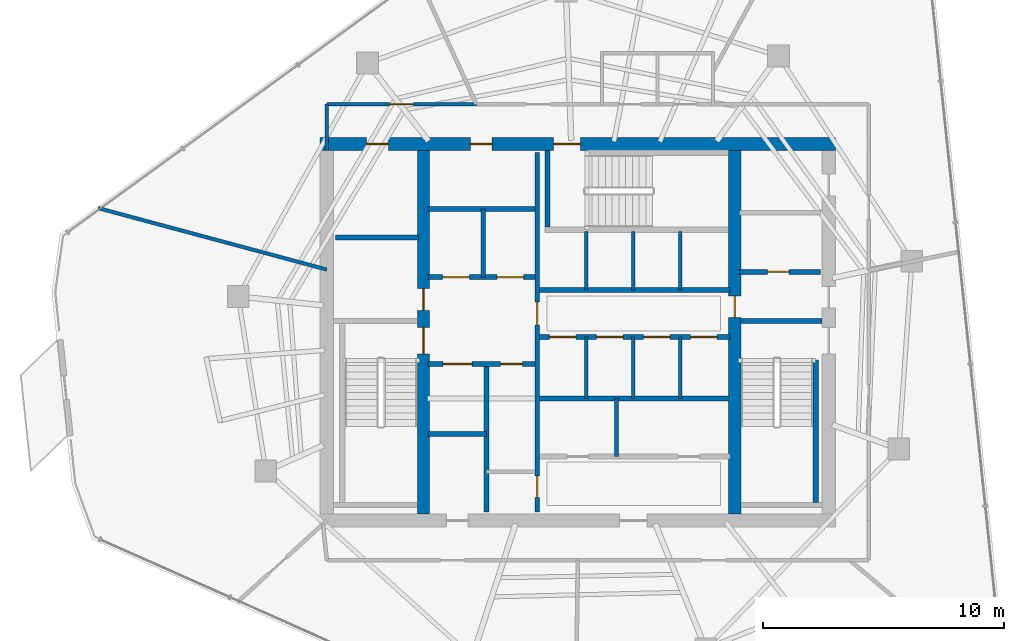
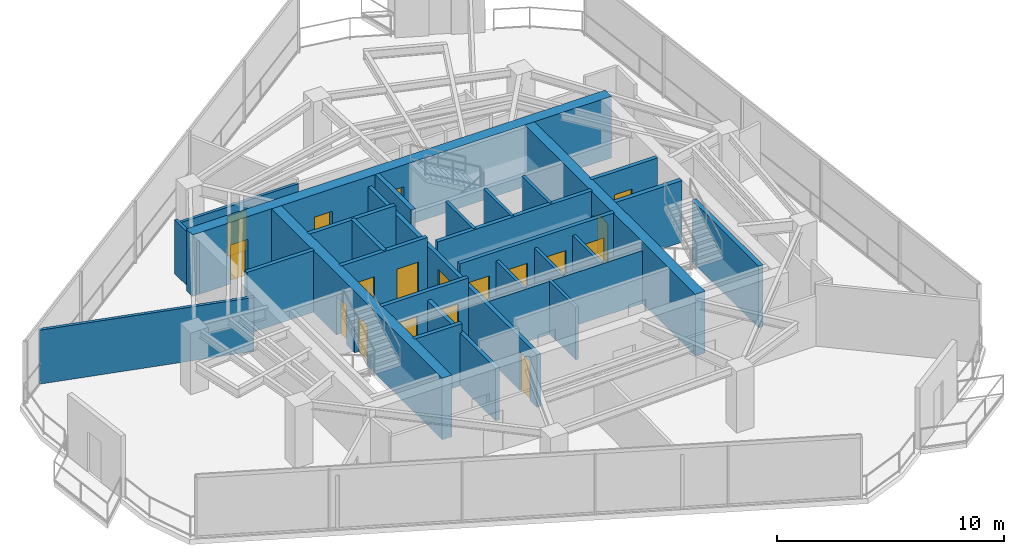
# One storey, part 16 of 20: 28 walls, 18 doors, 18 openings.
"""IFC4 building model written with IfcOpenShell, lengths in metres."""

from ifc_helpers import new_model, si_unit, direction, frame, frame_2d, origin, place, context, subcontext, project, spatial, rectangle, extrude, material, layer, layer_set, type_object, element, fill, save


model = new_model("IFC4")

# Units and contexts
model_context = context("Model", 3, precision=1e-05, world=origin(), true_north=direction((0.0, 1.0)))
body_context = subcontext(model_context, "Body", "Model", "MODEL_VIEW")
ifc_project = project(units=[si_unit("LENGTHUNIT", "METRE"), si_unit("AREAUNIT", "SQUARE_METRE"), si_unit("VOLUMEUNIT", "CUBIC_METRE"), si_unit("PLANEANGLEUNIT", "RADIAN"), si_unit("MASSUNIT", "GRAM", prefix="KILO")], contexts=[model_context])

# Site, building, storey
site_placement = place(None, origin())
site = spatial("IfcSite", under=ifc_project, at=site_placement, CompositionType="ELEMENT")
building_placement = place(site_placement, origin())
building = spatial("IfcBuilding", under=site, at=building_placement, Name="Qarnah Convention Tower", CompositionType="ELEMENT")
storey_placement = place(building_placement, frame((0.0, 0.0, 202.199951171875)))
storey = spatial("IfcBuildingStorey", under=building, at=storey_placement, Name="L54", CompositionType="ELEMENT", Elevation=202.199951171875)

# Wall, openings, doors
ifc_material_1 = material(Name="Concrete C60/75", Category="concrete")
ifc_layer_1 = layer(ifc_material_1, 0.550048828125)
ifc_layer_set_1 = layer_set([ifc_layer_1], Name="Concrete C60/75")
wall_type_1 = type_object("IfcWallType", Name="WL-CORE-550", PredefinedType="SHEAR", material=ifc_layer_set_1)
wall_1_placement = place(storey_placement, frame((26.52490234375, 34.199951171875, 0.0), z_axis=(0.0, 0.0, 1.0), x_axis=(1.0, 0.0, 0.0)))
wall_1 = element("IfcWall", 1, at=wall_1_placement, inside=storey, type_object=wall_type_1, Name="L54 core north shear wall", PredefinedType="SHEAR", context=body_context, shape_type="SweptSolid", body=[
    extrude(rectangle(XDim=21.35009765625, YDim=0.550048828125, at=frame_2d((10.675048828125, 0.0))), origin(), (0.0, 0.0, 1.0), 3.320068359375),
])
opening_1_placement = place(wall_1_placement, frame((9.675048828125, 0.0, 0.0)))
opening_1 = element("IfcOpeningElement", 2, at=opening_1_placement, cuts=wall_1, Name="Opening D-5403", PredefinedType="OPENING", context=body_context, shape_type="SweptSolid", body=[
    extrude(rectangle(XDim=1.10009765625, YDim=2.14990234375, at=frame_2d((0.550048828125, 1.074951171875))), frame((0.0, 0.284912109375, 0.0), z_axis=(0.0, -1.0, 0.0), x_axis=(1.0, 0.0, 0.0)), (0.0, 0.0, 1.0), 0.570068359375),
])
opening_2_placement = place(wall_1_placement, frame((1.925048828125, 0.0, 0.0)))
opening_2 = element("IfcOpeningElement", 3, at=opening_2_placement, cuts=wall_1, Name="Opening D-5409", PredefinedType="OPENING", context=body_context, shape_type="SweptSolid", body=[
    extrude(rectangle(XDim=0.89990234375, YDim=2.10009765625, at=frame_2d((0.449951171875, 1.050048828125))), frame((0.0, 0.284912109375, 0.0), z_axis=(0.0, -1.0, 0.0), x_axis=(1.0, 0.0, 0.0)), (0.0, 0.0, 1.0), 0.570068359375),
])
opening_3_placement = place(wall_1_placement, frame((6.22509765625, 0.0, 0.0)))
opening_3 = element("IfcOpeningElement", 4, at=opening_3_placement, cuts=wall_1, Name="Opening D-5410", PredefinedType="OPENING", context=body_context, shape_type="SweptSolid", body=[
    extrude(rectangle(XDim=0.89990234375, YDim=2.10009765625, at=frame_2d((0.449951171875, 1.050048828125))), frame((0.0, 0.284912109375, 0.0), z_axis=(0.0, -1.0, 0.0), x_axis=(1.0, 0.0, 0.0)), (0.0, 0.0, 1.0), 0.570068359375),
])
ifc_material_2 = material(Name="Structural steel S355JR", Category="steel")
door_type_1 = type_object("IfcDoorType", Name="DT-RISER-900", OperationType="NOTDEFINED", PredefinedType="DOOR", material=ifc_material_2)
door_1_placement = place(opening_2_placement, origin())
door_1 = element("IfcDoor", 5, at=door_1_placement, inside=storey, type_object=door_type_1, Name="Door D-5409", OperationType="SINGLE_SWING_LEFT", OverallHeight=2.10009765625, OverallWidth=0.89990234375, PredefinedType="DOOR", context=body_context, shape_type="SweptSolid", body=[
    extrude(rectangle(XDim=0.89990234375, YDim=2.10009765625, at=frame_2d((0.449951171875, 1.050048828125))), frame((0.0, 0.02490234375, 0.0), z_axis=(0.0, -1.0, 0.0), x_axis=(1.0, 0.0, 0.0)), (0.0, 0.0, 1.0), 0.050048828125),
])
fill(opening_2, door_1)
door_2_placement = place(opening_3_placement, origin())
door_2 = element("IfcDoor", 6, at=door_2_placement, inside=storey, type_object=door_type_1, Name="Door D-5410", OperationType="SINGLE_SWING_RIGHT", OverallHeight=2.10009765625, OverallWidth=0.89990234375, PredefinedType="DOOR", context=body_context, shape_type="SweptSolid", body=[
    extrude(rectangle(XDim=0.89990234375, YDim=2.10009765625, at=frame_2d((0.449951171875, 1.050048828125))), frame((0.0, 0.02490234375, 0.0), z_axis=(0.0, -1.0, 0.0), x_axis=(1.0, 0.0, 0.0)), (0.0, 0.0, 1.0), 0.050048828125),
])
fill(opening_3, door_2)
door_type_2 = type_object("IfcDoorType", Name="DT-STAIR-1100", OperationType="NOTDEFINED", PredefinedType="DOOR", material=ifc_material_2)
door_3_placement = place(opening_1_placement, origin())
door_3 = element("IfcDoor", 7, at=door_3_placement, inside=storey, type_object=door_type_2, Name="Door D-5403", OperationType="SINGLE_SWING_LEFT", OverallHeight=2.14990234375, OverallWidth=1.10009765625, PredefinedType="DOOR", context=body_context, shape_type="SweptSolid", body=[
    extrude(rectangle(XDim=1.10009765625, YDim=2.14990234375, at=frame_2d((0.550048828125, 1.074951171875))), frame((0.0, 0.02490234375, 0.0), z_axis=(0.0, -1.0, 0.0), x_axis=(1.0, 0.0, 0.0)), (0.0, 0.0, 1.0), 0.050048828125),
])
fill(opening_1, door_3)

ifc_layer_2 = layer(ifc_material_1, 0.5)
ifc_layer_set_2 = layer_set([ifc_layer_2], Name="Concrete C60/75")
wall_type_2 = type_object("IfcWallType", Name="WL-CORE-INT-400", PredefinedType="SHEAR", material=ifc_layer_set_2)
wall_2_placement = place(storey_placement, frame((30.800048828125, 18.875, 0.0), z_axis=(0.0, 0.0, 1.0), x_axis=(0.0, 1.0, 0.0)))
wall_2 = element("IfcWall", 8, at=wall_2_placement, inside=storey, type_object=wall_type_2, Name="L54 core west spine shear wall", PredefinedType="SHEAR", context=body_context, shape_type="SweptSolid", body=[
    extrude(rectangle(XDim=15.050048828125, YDim=0.5, at=frame_2d((7.52490234375, 0.0))), origin(), (0.0, 0.0, 1.0), 3.320068359375),
])
opening_4_placement = place(wall_2_placement, frame((6.625, 0.0, 0.0)))
opening_4 = element("IfcOpeningElement", 9, at=opening_4_placement, cuts=wall_2, Name="Opening D-5401", PredefinedType="OPENING", context=body_context, shape_type="SweptSolid", body=[
    extrude(rectangle(XDim=1.10009765625, YDim=2.14990234375, at=frame_2d((0.550048828125, 1.074951171875))), frame((0.0, 0.260009765625, 0.0), z_axis=(0.0, -1.0, 0.0), x_axis=(1.0, 0.0, 0.0)), (0.0, 0.0, 1.0), 0.52001953125),
])
opening_5_placement = place(wall_2_placement, frame((8.425048828125, 0.0, 0.0)))
opening_5 = element("IfcOpeningElement", 10, at=opening_5_placement, cuts=wall_2, Name="Opening D-5408", PredefinedType="OPENING", context=body_context, shape_type="SweptSolid", body=[
    extrude(rectangle(XDim=0.89990234375, YDim=2.10009765625, at=frame_2d((0.449951171875, 1.050048828125))), frame((0.0, 0.260009765625, 0.0), z_axis=(0.0, -1.0, 0.0), x_axis=(1.0, 0.0, 0.0)), (0.0, 0.0, 1.0), 0.52001953125),
])
door_4_placement = place(opening_5_placement, origin())
door_4 = element("IfcDoor", 11, at=door_4_placement, inside=storey, type_object=door_type_1, Name="Door D-5408", OperationType="SINGLE_SWING_RIGHT", OverallHeight=2.10009765625, OverallWidth=0.89990234375, PredefinedType="DOOR", context=body_context, shape_type="SweptSolid", body=[
    extrude(rectangle(XDim=0.89990234375, YDim=2.10009765625, at=frame_2d((0.449951171875, 1.050048828125))), frame((0.0, 0.02490234375, 0.0), z_axis=(0.0, -1.0, 0.0), x_axis=(1.0, 0.0, 0.0)), (0.0, 0.0, 1.0), 0.050048828125),
])
fill(opening_5, door_4)
door_5_placement = place(opening_4_placement, origin())
door_5 = element("IfcDoor", 12, at=door_5_placement, inside=storey, type_object=door_type_2, Name="Door D-5401", OperationType="SINGLE_SWING_LEFT", OverallHeight=2.14990234375, OverallWidth=1.10009765625, PredefinedType="DOOR", context=body_context, shape_type="SweptSolid", body=[
    extrude(rectangle(XDim=1.10009765625, YDim=2.14990234375, at=frame_2d((0.550048828125, 1.074951171875))), frame((0.0, 0.02490234375, 0.0), z_axis=(0.0, -1.0, 0.0), x_axis=(1.0, 0.0, 0.0)), (0.0, 0.0, 1.0), 0.050048828125),
])
fill(opening_4, door_5)

# Wall, opening, door
wall_3_placement = place(storey_placement, frame((43.699951171875, 18.875, 0.0), z_axis=(0.0, 0.0, 1.0), x_axis=(0.0, 1.0, 0.0)))
wall_3 = element("IfcWall", 13, at=wall_3_placement, inside=storey, type_object=wall_type_2, Name="L54 core east spine shear wall", PredefinedType="SHEAR", context=body_context, shape_type="SweptSolid", body=[
    extrude(rectangle(XDim=15.050048828125, YDim=0.5, at=frame_2d((7.52490234375, 0.0))), origin(), (0.0, 0.0, 1.0), 3.320068359375),
])
opening_6_placement = place(wall_3_placement, frame((8.125, 0.0, 0.0)))
opening_6 = element("IfcOpeningElement", 14, at=opening_6_placement, cuts=wall_3, Name="Opening D-5405", PredefinedType="OPENING", context=body_context, shape_type="SweptSolid", body=[
    extrude(rectangle(XDim=0.89990234375, YDim=2.10009765625, at=frame_2d((0.449951171875, 1.050048828125))), frame((0.0, 0.260009765625, 0.0), z_axis=(0.0, -1.0, 0.0), x_axis=(1.0, 0.0, 0.0)), (0.0, 0.0, 1.0), 0.52001953125),
])
door_6_placement = place(opening_6_placement, origin())
door_6 = element("IfcDoor", 15, at=door_6_placement, inside=storey, type_object=door_type_1, Name="Door D-5405", OperationType="SINGLE_SWING_LEFT", OverallHeight=2.10009765625, OverallWidth=0.89990234375, PredefinedType="DOOR", context=body_context, shape_type="SweptSolid", body=[
    extrude(rectangle(XDim=0.89990234375, YDim=2.10009765625, at=frame_2d((0.449951171875, 1.050048828125))), frame((0.0, 0.02490234375, 0.0), z_axis=(0.0, -1.0, 0.0), x_axis=(1.0, 0.0, 0.0)), (0.0, 0.0, 1.0), 0.050048828125),
])
fill(opening_6, door_6)

# Wall
ifc_material_3 = material(Name="Concrete C45/55", Category="concrete")
ifc_layer_3 = layer(ifc_material_3, 0.199951171875)
ifc_layer_set_3 = layer_set([ifc_layer_3], Name="Concrete C45/55")
wall_type_3 = type_object("IfcWallType", Name="WL-CORE-PART-200", PredefinedType="SOLIDWALL", material=ifc_layer_set_3)
wall_4_placement = place(storey_placement, frame((27.14990234375, 30.320068359375, 0.0), z_axis=(0.0, 0.0, 1.0), x_axis=(1.0, 0.0, 0.0)))
element("IfcWall", 16, at=wall_4_placement, inside=storey, type_object=wall_type_3, Name="L54 interior wall IW-L54-ELRN", PredefinedType="SOLIDWALL", context=body_context, shape_type="SweptSolid", body=[
    extrude(rectangle(XDim=3.4501953125, YDim=0.199951171875, at=frame_2d((1.72509765625, 0.0))), origin(), (0.0, 0.0, 1.0), 3.320068359375),
])

# Wall, opening, door
wall_5_placement = place(storey_placement, frame((43.89990234375, 28.89990234375, 0.0), z_axis=(0.0, 0.0, 1.0), x_axis=(1.0, 0.0, 0.0)))
wall_5 = element("IfcWall", 17, at=wall_5_placement, inside=storey, type_object=wall_type_3, Name="L54 interior wall IW-L54-EVSTN", PredefinedType="SOLIDWALL", context=body_context, shape_type="SweptSolid", body=[
    extrude(rectangle(XDim=3.35009765625, YDim=0.199951171875, at=frame_2d((1.675048828125, 0.0))), origin(), (0.0, 0.0, 1.0), 3.320068359375),
])
opening_7_placement = place(wall_5_placement, frame((1.14990234375, 0.0, 0.0)))
opening_7 = element("IfcOpeningElement", 18, at=opening_7_placement, cuts=wall_5, Name="Opening D-5411", PredefinedType="OPENING", context=body_context, shape_type="SweptSolid", body=[
    extrude(rectangle(XDim=0.89990234375, YDim=2.10009765625, at=frame_2d((0.449951171875, 1.050048828125))), frame((0.0, 0.10986328125, 0.0), z_axis=(0.0, -1.0, 0.0), x_axis=(1.0, 0.0, 0.0)), (0.0, 0.0, 1.0), 0.219970703125),
])
door_7_placement = place(opening_7_placement, origin())
door_7 = element("IfcDoor", 19, at=door_7_placement, inside=storey, type_object=door_type_1, Name="Door D-5411", OperationType="SINGLE_SWING_LEFT", OverallHeight=2.10009765625, OverallWidth=0.89990234375, PredefinedType="DOOR", context=body_context, shape_type="SweptSolid", body=[
    extrude(rectangle(XDim=0.89990234375, YDim=2.10009765625, at=frame_2d((0.449951171875, 1.050048828125))), frame((0.0, 0.02490234375, 0.0), z_axis=(0.0, -1.0, 0.0), x_axis=(1.0, 0.0, 0.0)), (0.0, 0.0, 1.0), 0.050048828125),
])
fill(opening_7, door_7)

# Wall, openings, doors
wall_6_placement = place(storey_placement, frame((35.52001953125, 18.949951171875, 0.0), z_axis=(0.0, 0.0, 1.0), x_axis=(0.0, 1.0, 0.0)))
wall_6 = element("IfcWall", 20, at=wall_6_placement, inside=storey, type_object=wall_type_3, Name="L54 interior wall IW-L54-CSP", PredefinedType="SOLIDWALL", context=body_context, shape_type="SweptSolid", body=[
    extrude(rectangle(XDim=14.900146484375, YDim=0.199951171875, at=frame_2d((7.4501953125, 0.0))), origin(), (0.0, 0.0, 1.0), 2.841064453125),
])
opening_8_placement = place(wall_6_placement, frame((7.7548828125, 0.0, 0.0)))
opening_8 = element("IfcOpeningElement", 21, at=opening_8_placement, cuts=wall_6, Name="Opening D-5404", PredefinedType="OPENING", context=body_context, shape_type="SweptSolid", body=[
    extrude(rectangle(XDim=0.949951171875, YDim=2.14990234375, at=frame_2d((0.47509765625, 1.074951171875))), frame((0.0, 0.10986328125, 0.0), z_axis=(0.0, -1.0, 0.0), x_axis=(1.0, 0.0, 0.0)), (0.0, 0.0, 1.0), 0.219970703125),
])
opening_9_placement = place(wall_6_placement, frame((0.60009765625, 0.0, 0.0)))
opening_9 = element("IfcOpeningElement", 22, at=opening_9_placement, cuts=wall_6, Name="Opening D-5414", PredefinedType="OPENING", context=body_context, shape_type="SweptSolid", body=[
    extrude(rectangle(XDim=0.89990234375, YDim=2.10009765625, at=frame_2d((0.449951171875, 1.050048828125))), frame((0.0, 0.10986328125, 0.0), z_axis=(0.0, -1.0, 0.0), x_axis=(1.0, 0.0, 0.0)), (0.0, 0.0, 1.0), 0.219970703125),
])
ifc_material_4 = material(Name="Oak timber veneer", Category="wood")
door_type_3 = type_object("IfcDoorType", Name="DT-HOTEL-950", OperationType="NOTDEFINED", PredefinedType="DOOR", material=ifc_material_4)
door_8_placement = place(opening_8_placement, origin())
door_8 = element("IfcDoor", 23, at=door_8_placement, inside=storey, type_object=door_type_3, Name="Door D-5404", OperationType="SINGLE_SWING_RIGHT", OverallHeight=2.14990234375, OverallWidth=0.949951171875, PredefinedType="DOOR", context=body_context, shape_type="SweptSolid", body=[
    extrude(rectangle(XDim=0.949951171875, YDim=2.14990234375, at=frame_2d((0.47509765625, 1.074951171875))), frame((0.0, 0.02490234375, 0.0), z_axis=(0.0, -1.0, 0.0), x_axis=(1.0, 0.0, 0.0)), (0.0, 0.0, 1.0), 0.050048828125),
])
fill(opening_8, door_8)
door_9_placement = place(opening_9_placement, origin())
door_9 = element("IfcDoor", 24, at=door_9_placement, inside=storey, type_object=door_type_1, Name="Door D-5414", OperationType="SINGLE_SWING_RIGHT", OverallHeight=2.10009765625, OverallWidth=0.89990234375, PredefinedType="DOOR", context=body_context, shape_type="SweptSolid", body=[
    extrude(rectangle(XDim=0.89990234375, YDim=2.10009765625, at=frame_2d((0.449951171875, 1.050048828125))), frame((0.0, 0.02490234375, 0.0), z_axis=(0.0, -1.0, 0.0), x_axis=(1.0, 0.0, 0.0)), (0.0, 0.0, 1.0), 0.050048828125),
])
fill(opening_9, door_9)

wall_7_placement = place(storey_placement, frame((31.0, 28.679931640625, 0.0), z_axis=(0.0, 0.0, 1.0), x_axis=(1.0, 0.0, 0.0)))
wall_7 = element("IfcWall", 25, at=wall_7_placement, inside=storey, type_object=wall_type_3, Name="L54 interior wall IW-L54-FFLS", PredefinedType="SOLIDWALL", context=body_context, shape_type="SweptSolid", body=[
    extrude(rectangle(XDim=4.419921875, YDim=0.199951171875, at=frame_2d((2.2099609375, 0.0))), origin(), (0.0, 0.0, 1.0), 3.320068359375),
])
opening_10_placement = place(wall_7_placement, frame((0.60009765625, 0.0, 0.0)))
opening_10 = element("IfcOpeningElement", 26, at=opening_10_placement, cuts=wall_7, Name="Opening LD-5401", PredefinedType="OPENING", context=body_context, shape_type="SweptSolid", body=[
    extrude(rectangle(XDim=1.10009765625, YDim=2.14990234375, at=frame_2d((0.550048828125, 1.074951171875))), frame((0.0, 0.10986328125, 0.0), z_axis=(0.0, -1.0, 0.0), x_axis=(1.0, 0.0, 0.0)), (0.0, 0.0, 1.0), 0.219970703125),
])
opening_11_placement = place(wall_7_placement, frame((2.85009765625, 0.0, 0.0)))
opening_11 = element("IfcOpeningElement", 27, at=opening_11_placement, cuts=wall_7, Name="Opening LD-5402", PredefinedType="OPENING", context=body_context, shape_type="SweptSolid", body=[
    extrude(rectangle(XDim=1.10009765625, YDim=2.14990234375, at=frame_2d((0.550048828125, 1.074951171875))), frame((0.0, 0.10986328125, 0.0), z_axis=(0.0, -1.0, 0.0), x_axis=(1.0, 0.0, 0.0)), (0.0, 0.0, 1.0), 0.219970703125),
])
door_type_4 = type_object("IfcDoorType", Name="DT-LIFT-1100", OperationType="SLIDING_TO_LEFT", PredefinedType="DOOR", material=ifc_material_2)
door_10_placement = place(opening_10_placement, origin())
door_10 = element("IfcDoor", 28, at=door_10_placement, inside=storey, type_object=door_type_4, Name="Door LD-5401", OperationType="SLIDING_TO_LEFT", OverallHeight=2.14990234375, OverallWidth=1.10009765625, PredefinedType="DOOR", context=body_context, shape_type="SweptSolid", body=[
    extrude(rectangle(XDim=1.10009765625, YDim=2.14990234375, at=frame_2d((0.550048828125, 1.074951171875))), frame((0.0, 0.02490234375, 0.0), z_axis=(0.0, -1.0, 0.0), x_axis=(1.0, 0.0, 0.0)), (0.0, 0.0, 1.0), 0.050048828125),
])
fill(opening_10, door_10)
door_11_placement = place(opening_11_placement, origin())
door_11 = element("IfcDoor", 29, at=door_11_placement, inside=storey, type_object=door_type_4, Name="Door LD-5402", OperationType="SLIDING_TO_LEFT", OverallHeight=2.14990234375, OverallWidth=1.10009765625, PredefinedType="DOOR", context=body_context, shape_type="SweptSolid", body=[
    extrude(rectangle(XDim=1.10009765625, YDim=2.14990234375, at=frame_2d((0.550048828125, 1.074951171875))), frame((0.0, 0.02490234375, 0.0), z_axis=(0.0, -1.0, 0.0), x_axis=(1.0, 0.0, 0.0)), (0.0, 0.0, 1.0), 0.050048828125),
])
fill(opening_11, door_11)

# Walls
wall_8_placement = place(storey_placement, frame((31.0, 31.5, 0.0), z_axis=(0.0, 0.0, 1.0), x_axis=(1.0, 0.0, 0.0)))
element("IfcWall", 30, at=wall_8_placement, inside=storey, type_object=wall_type_3, Name="L54 interior wall IW-L54-FFLN", PredefinedType="SOLIDWALL", context=body_context, shape_type="SweptSolid", body=[
    extrude(rectangle(XDim=4.419921875, YDim=0.199951171875, at=frame_2d((2.2099609375, 0.0))), origin(), (0.0, 0.0, 1.0), 3.320068359375),
])
wall_9_placement = place(storey_placement, frame((33.280029296875, 28.679931640625, 0.0), z_axis=(0.0, 0.0, 1.0), x_axis=(0.0, 1.0, 0.0)))
element("IfcWall", 31, at=wall_9_placement, inside=storey, type_object=wall_type_3, Name="L54 interior wall IW-L54-FFLM", PredefinedType="SOLIDWALL", context=body_context, shape_type="SweptSolid", body=[
    extrude(rectangle(XDim=2.820068359375, YDim=0.199951171875, at=frame_2d((1.41015625, 0.0))), origin(), (0.0, 0.0, 1.0), 3.320068359375),
])

# Wall, openings, doors
wall_10_placement = place(storey_placement, frame((31.0, 25.080078125, 0.0), z_axis=(0.0, 0.0, 1.0), x_axis=(1.0, 0.0, 0.0)))
wall_10 = element("IfcWall", 32, at=wall_10_placement, inside=storey, type_object=wall_type_3, Name="L54 interior wall IW-L54-FFLBS", PredefinedType="SOLIDWALL", context=body_context, shape_type="SweptSolid", body=[
    extrude(rectangle(XDim=4.419921875, YDim=0.199951171875, at=frame_2d((2.2099609375, 0.0))), origin(), (0.0, 0.0, 1.0), 3.320068359375),
])
opening_12_placement = place(wall_10_placement, frame((3.0, 0.0, 0.0)))
opening_12 = element("IfcOpeningElement", 33, at=opening_12_placement, cuts=wall_10, Name="Opening D-5415", PredefinedType="OPENING", context=body_context, shape_type="SweptSolid", body=[
    extrude(rectangle(XDim=0.89990234375, YDim=2.10009765625, at=frame_2d((0.449951171875, 1.050048828125))), frame((0.0, 0.10986328125, 0.0), z_axis=(0.0, -1.0, 0.0), x_axis=(1.0, 0.0, 0.0)), (0.0, 0.0, 1.0), 0.219970703125),
])
opening_13_placement = place(wall_10_placement, frame((0.6201171875, 0.0, 0.0)))
opening_13 = element("IfcOpeningElement", 34, at=opening_13_placement, cuts=wall_10, Name="Opening LD-5403", PredefinedType="OPENING", context=body_context, shape_type="SweptSolid", body=[
    extrude(rectangle(XDim=1.199951171875, YDim=2.14990234375, at=frame_2d((0.60009765625, 1.074951171875))), frame((0.0, 0.10986328125, 0.0), z_axis=(0.0, -1.0, 0.0), x_axis=(1.0, 0.0, 0.0)), (0.0, 0.0, 1.0), 0.219970703125),
])
door_type_5 = type_object("IfcDoorType", Name="DT-LIFT-1200", OperationType="SLIDING_TO_LEFT", PredefinedType="DOOR", material=ifc_material_2)
door_12_placement = place(opening_13_placement, origin())
door_12 = element("IfcDoor", 35, at=door_12_placement, inside=storey, type_object=door_type_5, Name="Door LD-5403", OperationType="SLIDING_TO_LEFT", OverallHeight=2.14990234375, OverallWidth=1.199951171875, PredefinedType="DOOR", context=body_context, shape_type="SweptSolid", body=[
    extrude(rectangle(XDim=1.199951171875, YDim=2.14990234375, at=frame_2d((0.60009765625, 1.074951171875))), frame((0.0, 0.02490234375, 0.0), z_axis=(0.0, -1.0, 0.0), x_axis=(1.0, 0.0, 0.0)), (0.0, 0.0, 1.0), 0.050048828125),
])
fill(opening_13, door_12)
door_13_placement = place(opening_12_placement, origin())
door_13 = element("IfcDoor", 36, at=door_13_placement, inside=storey, type_object=door_type_1, Name="Door D-5415", OperationType="SINGLE_SWING_LEFT", OverallHeight=2.10009765625, OverallWidth=0.89990234375, PredefinedType="DOOR", context=body_context, shape_type="SweptSolid", body=[
    extrude(rectangle(XDim=0.89990234375, YDim=2.10009765625, at=frame_2d((0.449951171875, 1.050048828125))), frame((0.0, 0.02490234375, 0.0), z_axis=(0.0, -1.0, 0.0), x_axis=(1.0, 0.0, 0.0)), (0.0, 0.0, 1.0), 0.050048828125),
])
fill(opening_12, door_13)

# Walls
wall_11_placement = place(storey_placement, frame((33.419921875, 18.949951171875, 0.0), z_axis=(0.0, 0.0, 1.0), x_axis=(0.0, 1.0, 0.0)))
element("IfcWall", 37, at=wall_11_placement, inside=storey, type_object=wall_type_3, Name="L54 interior wall IW-L54-SVLE", PredefinedType="SOLIDWALL", context=body_context, shape_type="SweptSolid", body=[
    extrude(rectangle(XDim=6.130126953125, YDim=0.199951171875, at=frame_2d((3.06494140625, 0.0))), origin(), (0.0, 0.0, 1.0), 2.841064453125),
])
wall_12_placement = place(storey_placement, frame((31.0, 22.179931640625, 0.0), z_axis=(0.0, 0.0, 1.0), x_axis=(1.0, 0.0, 0.0)))
element("IfcWall", 38, at=wall_12_placement, inside=storey, type_object=wall_type_3, Name="L54 interior wall IW-L54-SVLS", PredefinedType="SOLIDWALL", context=body_context, shape_type="SweptSolid", body=[
    extrude(rectangle(XDim=2.419921875, YDim=0.199951171875, at=frame_2d((1.2099609375, 0.0))), origin(), (0.0, 0.0, 1.0), 3.320068359375),
])
wall_13_placement = place(storey_placement, frame((35.6201171875, 28.14990234375, 0.0), z_axis=(0.0, 0.0, 1.0), x_axis=(1.0, 0.0, 0.0)))
element("IfcWall", 39, at=wall_13_placement, inside=storey, type_object=wall_type_3, Name="L54 interior wall IW-L54-PHS", PredefinedType="SOLIDWALL", context=body_context, shape_type="SweptSolid", body=[
    extrude(rectangle(XDim=7.8798828125, YDim=0.199951171875, at=frame_2d((3.93994140625, 0.0))), origin(), (0.0, 0.0, 1.0), 3.320068359375),
])

# Wall, openings, doors
wall_14_placement = place(storey_placement, frame((35.6201171875, 26.199951171875, 0.0), z_axis=(0.0, 0.0, 1.0), x_axis=(1.0, 0.0, 0.0)))
wall_14 = element("IfcWall", 40, at=wall_14_placement, inside=storey, type_object=wall_type_3, Name="L54 interior wall IW-L54-PMN", PredefinedType="SOLIDWALL", context=body_context, shape_type="SweptSolid", body=[
    extrude(rectangle(XDim=7.8798828125, YDim=0.199951171875, at=frame_2d((3.93994140625, 0.0))), origin(), (0.0, 0.0, 1.0), 3.320068359375),
])
opening_14_placement = place(wall_14_placement, frame((0.405029296875, 0.0, 0.0)))
opening_14 = element("IfcOpeningElement", 41, at=opening_14_placement, cuts=wall_14, Name="Opening LD-5404", PredefinedType="OPENING", context=body_context, shape_type="SweptSolid", body=[
    extrude(rectangle(XDim=1.10009765625, YDim=2.14990234375, at=frame_2d((0.550048828125, 1.074951171875))), frame((0.0, 0.10986328125, 0.0), z_axis=(0.0, -1.0, 0.0), x_axis=(1.0, 0.0, 0.0)), (0.0, 0.0, 1.0), 0.219970703125),
])
opening_15_placement = place(wall_14_placement, frame((2.35498046875, 0.0, 0.0)))
opening_15 = element("IfcOpeningElement", 42, at=opening_15_placement, cuts=wall_14, Name="Opening LD-5405", PredefinedType="OPENING", context=body_context, shape_type="SweptSolid", body=[
    extrude(rectangle(XDim=1.10009765625, YDim=2.14990234375, at=frame_2d((0.550048828125, 1.074951171875))), frame((0.0, 0.10986328125, 0.0), z_axis=(0.0, -1.0, 0.0), x_axis=(1.0, 0.0, 0.0)), (0.0, 0.0, 1.0), 0.219970703125),
])
opening_16_placement = place(wall_14_placement, frame((4.304931640625, 0.0, 0.0)))
opening_16 = element("IfcOpeningElement", 43, at=opening_16_placement, cuts=wall_14, Name="Opening LD-5406", PredefinedType="OPENING", context=body_context, shape_type="SweptSolid", body=[
    extrude(rectangle(XDim=1.10009765625, YDim=2.14990234375, at=frame_2d((0.550048828125, 1.074951171875))), frame((0.0, 0.10986328125, 0.0), z_axis=(0.0, -1.0, 0.0), x_axis=(1.0, 0.0, 0.0)), (0.0, 0.0, 1.0), 0.219970703125),
])
opening_17_placement = place(wall_14_placement, frame((6.2548828125, 0.0, 0.0)))
opening_17 = element("IfcOpeningElement", 44, at=opening_17_placement, cuts=wall_14, Name="Opening LD-5407", PredefinedType="OPENING", context=body_context, shape_type="SweptSolid", body=[
    extrude(rectangle(XDim=1.10009765625, YDim=2.14990234375, at=frame_2d((0.550048828125, 1.074951171875))), frame((0.0, 0.10986328125, 0.0), z_axis=(0.0, -1.0, 0.0), x_axis=(1.0, 0.0, 0.0)), (0.0, 0.0, 1.0), 0.219970703125),
])
door_14_placement = place(opening_14_placement, origin())
door_14 = element("IfcDoor", 45, at=door_14_placement, inside=storey, type_object=door_type_4, Name="Door LD-5404", OperationType="SLIDING_TO_LEFT", OverallHeight=2.14990234375, OverallWidth=1.10009765625, PredefinedType="DOOR", context=body_context, shape_type="SweptSolid", body=[
    extrude(rectangle(XDim=1.10009765625, YDim=2.14990234375, at=frame_2d((0.550048828125, 1.074951171875))), frame((0.0, 0.02490234375, 0.0), z_axis=(0.0, -1.0, 0.0), x_axis=(1.0, 0.0, 0.0)), (0.0, 0.0, 1.0), 0.050048828125),
])
fill(opening_14, door_14)
door_15_placement = place(opening_15_placement, origin())
door_15 = element("IfcDoor", 46, at=door_15_placement, inside=storey, type_object=door_type_4, Name="Door LD-5405", OperationType="SLIDING_TO_LEFT", OverallHeight=2.14990234375, OverallWidth=1.10009765625, PredefinedType="DOOR", context=body_context, shape_type="SweptSolid", body=[
    extrude(rectangle(XDim=1.10009765625, YDim=2.14990234375, at=frame_2d((0.550048828125, 1.074951171875))), frame((0.0, 0.02490234375, 0.0), z_axis=(0.0, -1.0, 0.0), x_axis=(1.0, 0.0, 0.0)), (0.0, 0.0, 1.0), 0.050048828125),
])
fill(opening_15, door_15)
door_16_placement = place(opening_16_placement, origin())
door_16 = element("IfcDoor", 47, at=door_16_placement, inside=storey, type_object=door_type_4, Name="Door LD-5406", OperationType="SLIDING_TO_LEFT", OverallHeight=2.14990234375, OverallWidth=1.10009765625, PredefinedType="DOOR", context=body_context, shape_type="SweptSolid", body=[
    extrude(rectangle(XDim=1.10009765625, YDim=2.14990234375, at=frame_2d((0.550048828125, 1.074951171875))), frame((0.0, 0.02490234375, 0.0), z_axis=(0.0, -1.0, 0.0), x_axis=(1.0, 0.0, 0.0)), (0.0, 0.0, 1.0), 0.050048828125),
])
fill(opening_16, door_16)
door_17_placement = place(opening_17_placement, origin())
door_17 = element("IfcDoor", 48, at=door_17_placement, inside=storey, type_object=door_type_4, Name="Door LD-5407", OperationType="SLIDING_TO_LEFT", OverallHeight=2.14990234375, OverallWidth=1.10009765625, PredefinedType="DOOR", context=body_context, shape_type="SweptSolid", body=[
    extrude(rectangle(XDim=1.10009765625, YDim=2.14990234375, at=frame_2d((0.550048828125, 1.074951171875))), frame((0.0, 0.02490234375, 0.0), z_axis=(0.0, -1.0, 0.0), x_axis=(1.0, 0.0, 0.0)), (0.0, 0.0, 1.0), 0.050048828125),
])
fill(opening_17, door_17)

# Walls
wall_15_placement = place(storey_placement, frame((35.6201171875, 23.64990234375, 0.0), z_axis=(0.0, 0.0, 1.0), x_axis=(1.0, 0.0, 0.0)))
element("IfcWall", 49, at=wall_15_placement, inside=storey, type_object=wall_type_3, Name="L54 interior wall IW-L54-PMPL", PredefinedType="SOLIDWALL", context=body_context, shape_type="SweptSolid", body=[
    extrude(rectangle(XDim=7.8798828125, YDim=0.199951171875, at=frame_2d((3.93994140625, 0.0))), origin(), (0.0, 0.0, 1.0), 2.841064453125),
])
ifc_layer_4 = layer(ifc_material_1, 0.219970703125)
ifc_layer_set_4 = layer_set([ifc_layer_4], Name="Concrete C60/75")
wall_type_4 = type_object("IfcWallType", Name="WL-CORE-STAIR-220", PredefinedType="SHEAR", material=ifc_layer_set_4)
wall_16_placement = place(storey_placement, frame((43.949951171875, 26.860107421875, 0.0), z_axis=(0.0, 0.0, 1.0), x_axis=(1.0, 0.0, 0.0)))
element("IfcWall", 50, at=wall_16_placement, inside=storey, type_object=wall_type_4, Name="L54 stair shaft shear wall SW-L54-ST2N", PredefinedType="SHEAR", context=body_context, shape_type="SweptSolid", body=[
    extrude(rectangle(XDim=3.375, YDim=0.219970703125, at=frame_2d((1.6875, 0.0))), origin(), (0.0, 0.0, 1.0), 3.320068359375),
])
wall_17_placement = place(storey_placement, frame((47.06005859375, 19.35009765625, 0.0), z_axis=(0.0, 0.0, 1.0), x_axis=(0.0, 1.0, 0.0)))
element("IfcWall", 51, at=wall_17_placement, inside=storey, type_object=wall_type_4, Name="L54 stair shaft shear wall SW-L54-ST2E", PredefinedType="SHEAR", context=body_context, shape_type="SweptSolid", body=[
    extrude(rectangle(XDim=5.89990234375, YDim=0.219970703125, at=frame_2d((2.949951171875, 0.0))), origin(), (0.0, 0.0, 1.0), 3.320068359375),
])
wall_18_placement = place(storey_placement, frame((35.93994140625, 30.75, 0.0), z_axis=(0.0, 0.0, 1.0), x_axis=(0.0, 1.0, 0.0)))
element("IfcWall", 52, at=wall_18_placement, inside=storey, type_object=wall_type_4, Name="L54 stair shaft shear wall SW-L54-ST3W", PredefinedType="SHEAR", context=body_context, shape_type="SweptSolid", body=[
    extrude(rectangle(XDim=3.175048828125, YDim=0.219970703125, at=frame_2d((1.58740234375, 0.0))), origin(), (0.0, 0.0, 1.0), 3.320068359375),
])
ifc_material_5 = material(Name="Gypsum partition board")
ifc_layer_5 = layer(ifc_material_5, 0.14990234375)
ifc_layer_set_5 = layer_set([ifc_layer_5], Name="Gypsum partition board")
wall_type_5 = type_object("IfcWallType", Name="WL-SUITE-150", PredefinedType="PARTITIONING", material=ifc_layer_set_5)
for number, where, z_axis, x_axis, name in (
    (53, (37.550048828125, 28.14990234375, 0.0), (0.0, 0.0, 1.0), (0.0, 1.0, 0.0), "L54 interior wall IW-L54-PHD1"),
    (54, (39.5, 28.14990234375, 0.0), (0.0, 0.0, 1.0), (0.0, 1.0, 0.0), "L54 interior wall IW-L54-PHD2"),
    (55, (41.449951171875, 28.14990234375, 0.0), (0.0, 0.0, 1.0), (0.0, 1.0, 0.0), "L54 interior wall IW-L54-PHD3"),
):
    element("IfcWall", number, at=place(storey_placement, frame(where, z_axis=z_axis, x_axis=x_axis)), inside=storey, type_object=wall_type_5, Name=name, PredefinedType="PARTITIONING", context=body_context, shape_type="SweptSolid", body=[
        extrude(rectangle(XDim=2.43017578125, YDim=0.14990234375, at=frame_2d((1.215087890625, 0.0))), origin(), (0.0, 0.0, 1.0), 3.320068359375),
    ])
for number, where, z_axis, x_axis, name in (
    (56, (37.550048828125, 23.64990234375, 0.0), (0.0, 0.0, 1.0), (0.0, 1.0, 0.0), "L54 interior wall IW-L54-PMD1"),
    (57, (39.5, 23.64990234375, 0.0), (0.0, 0.0, 1.0), (0.0, 1.0, 0.0), "L54 interior wall IW-L54-PMD2"),
    (58, (41.449951171875, 23.64990234375, 0.0), (0.0, 0.0, 1.0), (0.0, 1.0, 0.0), "L54 interior wall IW-L54-PMD3"),
):
    element("IfcWall", number, at=place(storey_placement, frame(where, z_axis=z_axis, x_axis=x_axis)), inside=storey, type_object=wall_type_5, Name=name, PredefinedType="PARTITIONING", context=body_context, shape_type="SweptSolid", body=[
        extrude(rectangle(XDim=2.550048828125, YDim=0.14990234375, at=frame_2d((1.27490234375, 0.0))), origin(), (0.0, 0.0, 1.0), 2.841064453125),
    ])
wall_19_placement = place(storey_placement, frame((38.800048828125, 21.25, 0.0), z_axis=(0.0, 0.0, 1.0), x_axis=(0.0, 1.0, 0.0)))
element("IfcWall", 59, at=wall_19_placement, inside=storey, type_object=wall_type_5, Name="L54 interior wall IW-L54-PLFD", PredefinedType="PARTITIONING", context=body_context, shape_type="SweptSolid", body=[
    extrude(rectangle(XDim=2.39990234375, YDim=0.14990234375, at=frame_2d((1.199951171875, 0.0))), origin(), (0.0, 0.0, 1.0), 2.841064453125),
])
wall_20_placement = place(storey_placement, frame((17.325927734375, 31.5400390625, 0.0), z_axis=(0.0, 0.0, 1.0), x_axis=(0.965707962964, -0.259630757553, 0.0)))
element("IfcWall", 60, at=wall_20_placement, inside=storey, type_object=wall_type_5, Name="L54 interior wall IW-L54-R-16", PredefinedType="PARTITIONING", context=body_context, shape_type="SweptSolid", body=[
    extrude(rectangle(XDim=9.810546875, YDim=0.14990234375, at=frame_2d((4.9052734375, 0.0))), origin(), (0.0, 0.0, 1.0), 2.905029296875),
])
wall_21_placement = place(storey_placement, frame((26.800048828125, 33.925048828125, 0.0), z_axis=(0.0, 0.0, 1.0), x_axis=(0.0, 1.0, 0.0)))
element("IfcWall", 61, at=wall_21_placement, inside=storey, type_object=wall_type_5, Name="L54 interior wall IW-L54-R-17", PredefinedType="PARTITIONING", context=body_context, shape_type="SweptSolid", body=[
    extrude(rectangle(XDim=1.925048828125, YDim=0.14990234375, at=frame_2d((0.96240234375, 0.0))), origin(), (0.0, 0.0, 1.0), 2.905029296875),
])

# Wall, opening, door
wall_22_placement = place(storey_placement, frame((26.800048828125, 35.85009765625, 0.0), z_axis=(0.0, 0.0, 1.0), x_axis=(1.0, 0.0, 0.0)))
wall_22 = element("IfcWall", 62, at=wall_22_placement, inside=storey, type_object=wall_type_5, Name="L54 interior wall IW-L54-R-18", PredefinedType="PARTITIONING", context=body_context, shape_type="SweptSolid", body=[
    extrude(rectangle(XDim=6.19287109375, YDim=0.14990234375, at=frame_2d((3.096435546875, 0.0))), origin(), (0.0, 0.0, 1.0), 2.697021484375),
])
opening_18_placement = place(wall_22_placement, frame((2.596923828125, 0.0, 0.0)))
opening_18 = element("IfcOpeningElement", 63, at=opening_18_placement, cuts=wall_22, Name="Opening D-5422", PredefinedType="OPENING", context=body_context, shape_type="SweptSolid", body=[
    extrude(rectangle(XDim=1.0, YDim=2.14990234375, at=frame_2d((0.5, 1.074951171875))), frame((0.0, 0.0849609375, 0.0), z_axis=(0.0, -1.0, 0.0), x_axis=(1.0, 0.0, 0.0)), (0.0, 0.0, 1.0), 0.169921875),
])
door_type_6 = type_object("IfcDoorType", Name="DT-OFFICE-1000", OperationType="NOTDEFINED", PredefinedType="DOOR", material=ifc_material_4)
door_18_placement = place(opening_18_placement, origin())
door_18 = element("IfcDoor", 64, at=door_18_placement, inside=storey, type_object=door_type_6, Name="Door D-5422", OperationType="SINGLE_SWING_RIGHT", OverallHeight=2.14990234375, OverallWidth=1.0, PredefinedType="DOOR", context=body_context, shape_type="SweptSolid", body=[
    extrude(rectangle(XDim=1.0, YDim=2.14990234375, at=frame_2d((0.5, 1.074951171875))), frame((0.0, 0.02490234375, 0.0), z_axis=(0.0, -1.0, 0.0), x_axis=(1.0, 0.0, 0.0)), (0.0, 0.0, 1.0), 0.050048828125),
])
fill(opening_18, door_18)

save(model, "model.ifc")
